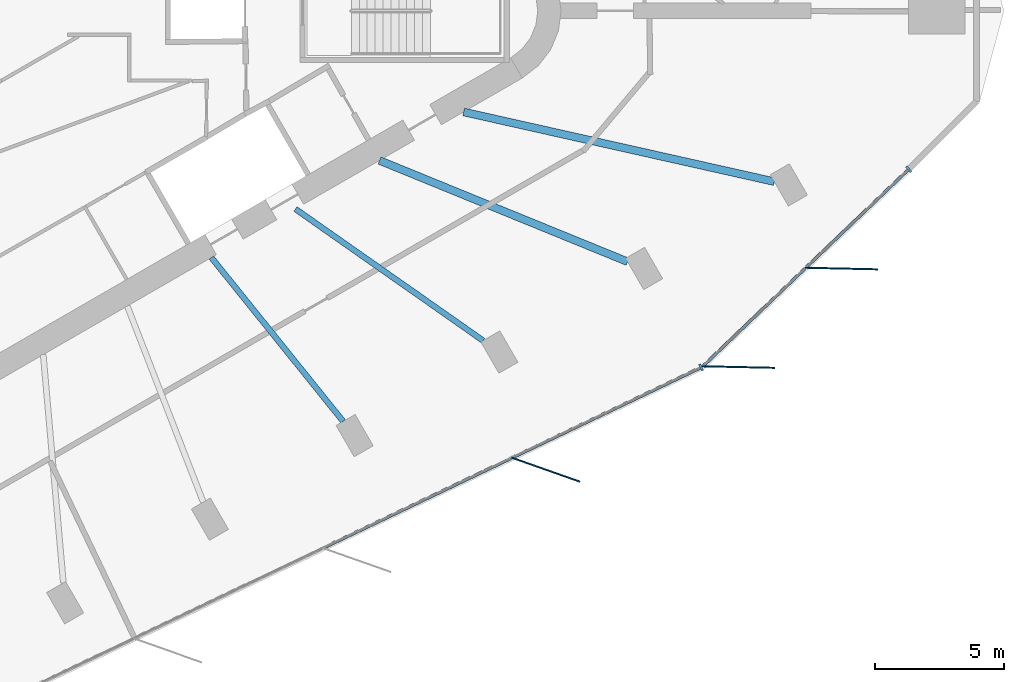
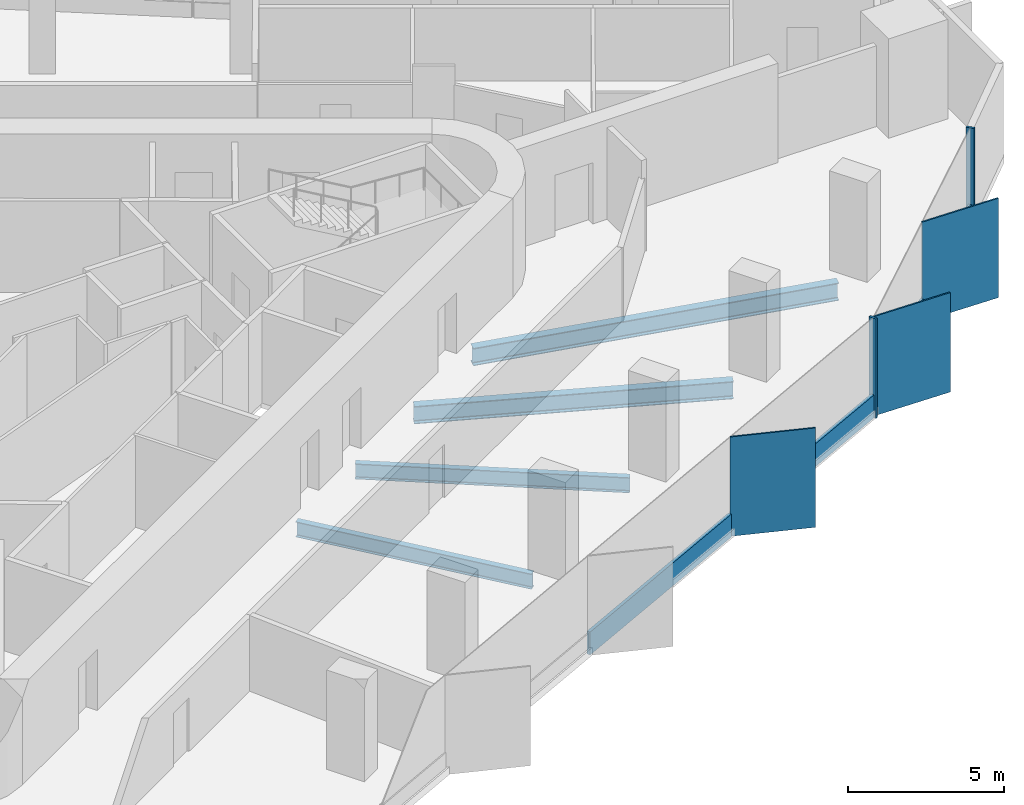
# One storey, part 3 of 14: 9 members, 4 beams, 2 elements without a shape of their own.
"""IFC4 building model written with IfcOpenShell, lengths in metres."""

from ifc_helpers import new_model, si_unit, direction, frame, origin, origin_2d, place, context, subcontext, project, spatial, rectangle, i_section, extrude, material, material_profile, profile_set, type_object, element, aggregate, save


model = new_model("IFC4")

# Units and contexts
model_context = context("Model", 3, precision=1e-05, world=origin(), true_north=direction((0.0, 1.0)))
body_context = subcontext(model_context, "Body", "Model", "MODEL_VIEW")
ifc_project = project(units=[si_unit("LENGTHUNIT", "METRE"), si_unit("AREAUNIT", "SQUARE_METRE"), si_unit("VOLUMEUNIT", "CUBIC_METRE"), si_unit("PLANEANGLEUNIT", "RADIAN"), si_unit("MASSUNIT", "GRAM", prefix="KILO")], contexts=[model_context])

# Site, building, storey
site_placement = place(None, origin())
site = spatial("IfcSite", under=ifc_project, at=site_placement, CompositionType="ELEMENT")
building_placement = place(site_placement, origin())
building = spatial("IfcBuilding", under=site, at=building_placement, Name="Tanit Gate Tower", CompositionType="ELEMENT")
storey_placement = place(building_placement, frame((0.0, 0.0, 302.60009765625)))
storey = spatial("IfcBuildingStorey", under=building, at=storey_placement, Name="L67", CompositionType="ELEMENT", Elevation=302.60009765625)

# Curtain wall, member
ifc_material_1 = material(Name="Aluminium bronze anodised and glass", Category="aluminium")
curtain_wall_type = type_object("IfcCurtainWallType", Name="Curtain wall typical high", PredefinedType="NOTDEFINED", material=ifc_material_1)
curtain_wall_1_placement = place(storey_placement, origin())
curtain_wall_1 = element("IfcCurtainWall", 1, at=curtain_wall_1_placement, inside=storey, type_object=curtain_wall_type, Name="Curtain wall L67 SE2", PredefinedType="NOTDEFINED")
ifc_material_2 = material(Name="Aluminium bronze anodised", Category="aluminium")
ifc_material_profile_1 = material_profile(ifc_material_2, rectangle(XDim=2.800048828125, YDim=0.055908203125, at=origin_2d()), Name="56x2800 bronze fin mullion")
ifc_profile_set_1 = profile_set([ifc_material_profile_1], Name="Aluminium bronze anodised")
member_type_1 = type_object("IfcMemberType", Name="FIN MULLION 56x2800 bronze", PredefinedType="MULLION", material=ifc_profile_set_1)
member_1_placement = place(storey_placement, frame((20.607177734375, -17.743408203125, -0.300048828125), z_axis=(0.0, 0.0, 1.0), x_axis=(-0.942849080727, 0.333220063881, 0.0)))
member_1 = element("IfcMember", 2, at=member_1_placement, type_object=member_type_1, Name="Fin mullion L67 SE2.4", PredefinedType="MULLION", context=body_context, shape_type="SweptSolid", body=[
    extrude(rectangle(XDim=2.800048828125, YDim=0.055908203125, at=origin_2d()), origin(), (0.0, 0.0, 1.0), 3.89990234375),
])

# Curtain wall, members
curtain_wall_2_placement = place(storey_placement, origin())
curtain_wall_2 = element("IfcCurtainWall", 3, at=curtain_wall_2_placement, inside=storey, type_object=curtain_wall_type, Name="Curtain wall L67 SE3", PredefinedType="NOTDEFINED")
member_2_placement = place(storey_placement, frame((28.0634765625, -13.775390625, -0.300048828125), z_axis=(0.0, 0.0, 1.0), x_axis=(-0.999755269503, 0.022122411726, 0.0)))
member_2 = element("IfcMember", 4, at=member_2_placement, type_object=member_type_1, Name="Fin mullion L67 SE3.1", PredefinedType="MULLION", context=body_context, shape_type="SweptSolid", body=[
    extrude(rectangle(XDim=2.800048828125, YDim=0.055908203125, at=origin_2d()), origin(), (0.0, 0.0, 1.0), 3.89990234375),
])
member_3_placement = place(storey_placement, frame((32.04541015625, -9.9658203125, -0.300048828125), z_axis=(0.0, 0.0, 1.0), x_axis=(-0.999755269503, 0.022122411726, 0.0)))
member_3 = element("IfcMember", 5, at=member_3_placement, type_object=member_type_1, Name="Fin mullion L67 SE3.2", PredefinedType="MULLION", context=body_context, shape_type="SweptSolid", body=[
    extrude(rectangle(XDim=2.800048828125, YDim=0.055908203125, at=origin_2d()), origin(), (0.0, 0.0, 1.0), 3.89990234375),
])

# Member
ifc_material_3 = material(Name="Aluminium bronze anodised", Category="aluminium")
ifc_material_profile_2 = material_profile(ifc_material_3, rectangle(XDim=0.280029296875, YDim=0.080078125, at=origin_2d()), Name="80x280 bronze mullion")
ifc_profile_set_2 = profile_set([ifc_material_profile_2], Name="Aluminium bronze anodised")
member_type_2 = type_object("IfcMemberType", Name="Mullion 80x280 typical high", PredefinedType="MULLION", material=ifc_profile_set_2)
member_4_placement = place(storey_placement, frame((26.618408203125, -13.789794921875, -0.300048828125), z_axis=(0.0, 0.0, 1.0), x_axis=(-0.431072811819, 0.902317145415, 0.0)))
member_4 = element("IfcMember", 6, at=member_4_placement, type_object=member_type_2, Name="Mullion L67 SE2.5", PredefinedType="MULLION", context=body_context, shape_type="SweptSolid", body=[
    extrude(rectangle(XDim=0.280029296875, YDim=0.080078125, at=origin_2d()), origin(), (0.0, 0.0, 1.0), 3.89990234375),
])

member_5_placement = place(storey_placement, frame((34.647705078125, -6.12548828125, -0.300048828125), z_axis=(0.0, 0.0, 1.0), x_axis=(-0.691290823245, 0.72257663794, 0.0)))
member_5 = element("IfcMember", 7, at=member_5_placement, type_object=member_type_2, Name="Mullion L67 SE3.3", PredefinedType="MULLION", context=body_context, shape_type="SweptSolid", body=[
    extrude(rectangle(XDim=0.280029296875, YDim=0.080078125, at=origin_2d()), origin(), (0.0, 0.0, 1.0), 3.89990234375),
])

# Beams
ifc_material_4 = material(Name="Steel S355", Category="steel")
ifc_material_profile_3 = material_profile(ifc_material_4, i_section(OverallWidth=0.300048828125, OverallDepth=0.68994140625, WebThickness=0.014404296875, FlangeThickness=0.027099609375, FilletRadius=0.027099609375, at=origin_2d()), Name="HEA 700")
ifc_profile_set_3 = profile_set([ifc_material_profile_3], Name="Steel S355")
beam_type_1 = type_object("IfcBeamType", Name="RADIAL GIRDER HEA 700 S355", PredefinedType="BEAM", material=ifc_profile_set_3)
beam_1_placement = place(storey_placement, frame((23.7705078125, -9.7021484375, -0.64501953125), z_axis=(-0.925849999648, 0.377891225292, 0.0), x_axis=(-0.377891225292, -0.925849999648, 0.0)))
element("IfcBeam", 8, at=beam_1_placement, inside=storey, type_object=beam_type_1, Name="RADIAL GIRDER", PredefinedType="BEAM", context=body_context, shape_type="SweptSolid", body=[
    extrude(i_section(OverallWidth=0.300048828125, OverallDepth=0.68994140625, WebThickness=0.014404296875, FlangeThickness=0.027099609375, FilletRadius=0.027099609375, at=origin_2d()), origin(), (0.0, 0.0, 1.0), 10.35888671875),
])
beam_2_placement = place(storey_placement, frame((29.446533203125, -6.605712890625, -0.64501953125), z_axis=(-0.975751261889, 0.218882331225, 0.0), x_axis=(-0.218882331225, -0.975751261889, 0.0)))
element("IfcBeam", 9, at=beam_2_placement, inside=storey, type_object=beam_type_1, Name="RADIAL GIRDER", PredefinedType="BEAM", context=body_context, shape_type="SweptSolid", body=[
    extrude(i_section(OverallWidth=0.300048828125, OverallDepth=0.68994140625, WebThickness=0.014404296875, FlangeThickness=0.027099609375, FilletRadius=0.027099609375, at=origin_2d()), origin(), (0.0, 0.0, 1.0), 12.31396484375),
])
ifc_material_5 = material(Name="Steel S355", Category="steel")
ifc_material_profile_4 = material_profile(ifc_material_5, i_section(OverallWidth=0.219970703125, OverallDepth=0.60009765625, WebThickness=0.011962890625, FlangeThickness=0.01904296875, FilletRadius=0.02392578125, at=origin_2d()), Name="IPE 600")
ifc_profile_set_4 = profile_set([ifc_material_profile_4], Name="Steel S355")
beam_type_2 = type_object("IfcBeamType", Name="RADIAL GIRDER IPE 600 S355", PredefinedType="BEAM", material=ifc_profile_set_4)
beam_3_placement = place(storey_placement, frame((12.772705078125, -15.876220703125, -0.60009765625), z_axis=(-0.626835145211, 0.779151911201, 0.0), x_axis=(-0.779151911201, -0.626835145211, 0.0)))
element("IfcBeam", 10, at=beam_3_placement, inside=storey, type_object=beam_type_2, Name="RADIAL GIRDER", PredefinedType="BEAM", context=body_context, shape_type="SweptSolid", body=[
    extrude(i_section(OverallWidth=0.219970703125, OverallDepth=0.60009765625, WebThickness=0.011962890625, FlangeThickness=0.01904296875, FilletRadius=0.02392578125, at=origin_2d()), origin(), (0.0, 0.0, 1.0), 8.129638671875),
])
beam_4_placement = place(storey_placement, frame((18.1826171875, -12.752685546875, -0.60009765625), z_axis=(-0.818711219001, 0.574205485764, 0.0), x_axis=(-0.574205485764, -0.818711219001, 0.0)))
element("IfcBeam", 11, at=beam_4_placement, inside=storey, type_object=beam_type_2, Name="RADIAL GIRDER", PredefinedType="BEAM", context=body_context, shape_type="SweptSolid", body=[
    extrude(i_section(OverallWidth=0.219970703125, OverallDepth=0.60009765625, WebThickness=0.011962890625, FlangeThickness=0.01904296875, FilletRadius=0.02392578125, at=origin_2d()), origin(), (0.0, 0.0, 1.0), 8.86083984375),
])

# Member
ifc_material_6 = material(Name="Aluminium bronze anodised", Category="aluminium")
ifc_material_profile_5 = material_profile(ifc_material_6, rectangle(XDim=0.1201171875, YDim=0.89990234375, at=origin_2d()), Name="120x900 bronze transom")
ifc_profile_set_5 = profile_set([ifc_material_profile_5], Name="Aluminium bronze anodised")
member_type_3 = type_object("IfcMemberType", Name="Transom 120x900 typical high", PredefinedType="USERDEFINED", material=ifc_profile_set_5)
member_6_placement = place(storey_placement, frame((12.029052734375, -20.759765625, 0.14990234375), z_axis=(0.902321041517, 0.431064656446, 0.0), x_axis=(-0.431064656446, 0.902321041517, 0.0)))
member_6 = element("IfcMember", 12, at=member_6_placement, type_object=member_type_3, Name="Transom L67 SE2.3", ObjectType="TRANSOM", PredefinedType="USERDEFINED", context=body_context, shape_type="SweptSolid", body=[
    extrude(rectangle(XDim=0.1201171875, YDim=0.89990234375, at=origin_2d()), origin(), (0.0, 0.0, 1.0), 8.024169921875),
])

member_7_placement = place(storey_placement, frame((19.341796875, -17.26611328125, 0.14990234375), z_axis=(0.902321041517, 0.431064656446, 0.0), x_axis=(-0.431064656446, 0.902321041517, 0.0)))
member_7 = element("IfcMember", 13, at=member_7_placement, type_object=member_type_3, Name="Transom L67 SE2.4", ObjectType="TRANSOM", PredefinedType="USERDEFINED", context=body_context, shape_type="SweptSolid", body=[
    extrude(rectangle(XDim=0.1201171875, YDim=0.89990234375, at=origin_2d()), origin(), (0.0, 0.0, 1.0), 8.024169921875),
])

aggregate(curtain_wall_1, [member_1, member_4, member_6, member_7])

member_8_placement = place(storey_placement, frame((26.71240234375, -13.71728515625, 0.14990234375), z_axis=(0.722577419637, 0.69129000617, 0.0), x_axis=(-0.69129000617, 0.722577419637, 0.0)))
member_8 = element("IfcMember", 14, at=member_8_placement, type_object=member_type_3, Name="Transom L67 SE3.1", ObjectType="TRANSOM", PredefinedType="USERDEFINED", context=body_context, shape_type="SweptSolid", body=[
    extrude(rectangle(XDim=0.1201171875, YDim=0.89990234375, at=origin_2d()), origin(), (0.0, 0.0, 1.0), 5.430908203125),
])

member_9_placement = place(storey_placement, frame((30.694580078125, -9.907470703125, 0.14990234375), z_axis=(0.722577419637, 0.69129000617, 0.0), x_axis=(-0.69129000617, 0.722577419637, 0.0)))
member_9 = element("IfcMember", 15, at=member_9_placement, type_object=member_type_3, Name="Transom L67 SE3.2", ObjectType="TRANSOM", PredefinedType="USERDEFINED", context=body_context, shape_type="SweptSolid", body=[
    extrude(rectangle(XDim=0.1201171875, YDim=0.89990234375, at=origin_2d()), origin(), (0.0, 0.0, 1.0), 5.430908203125),
])

aggregate(curtain_wall_2, [member_2, member_3, member_5, member_8, member_9])

save(model, "model.ifc")
